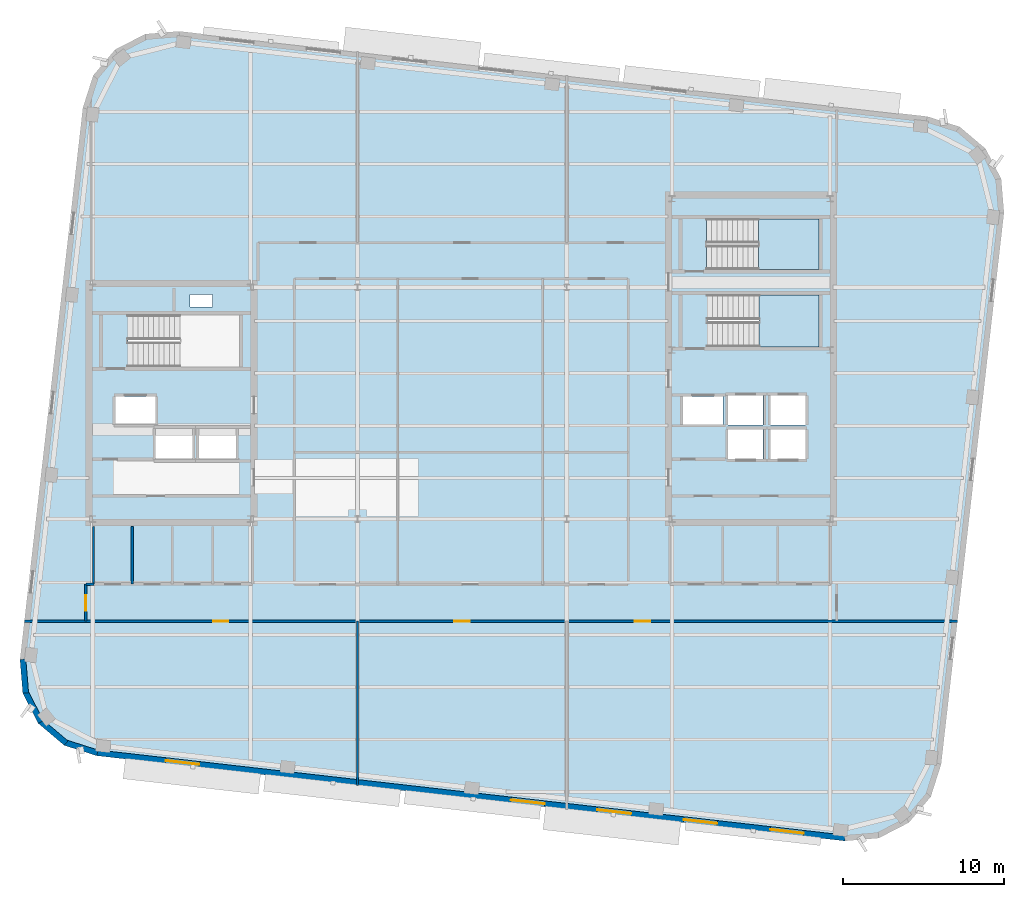
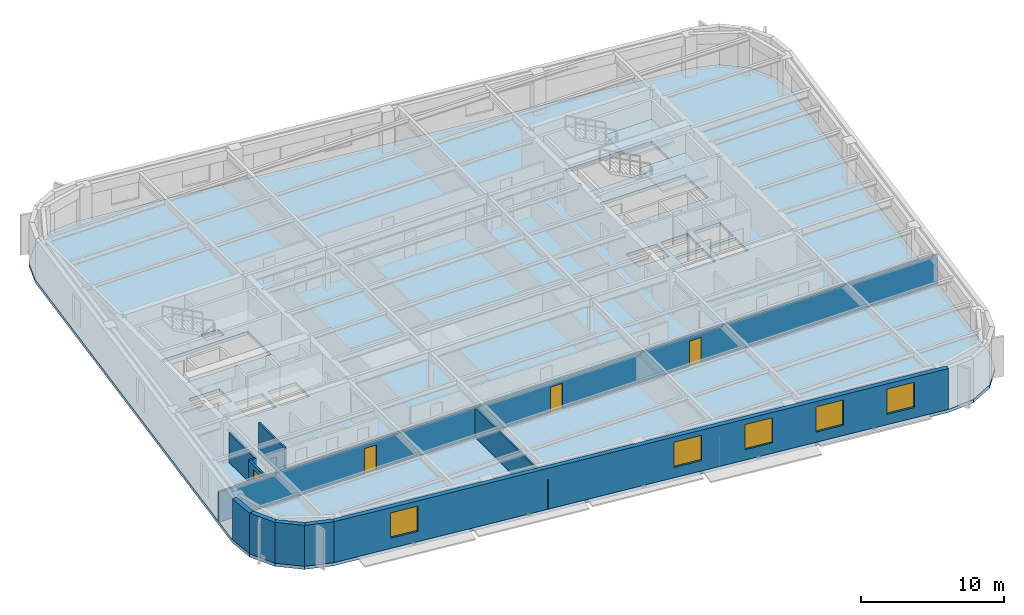
# One storey, part 5 of 14: 11 walls, 5 windows, 4 doors, 3 slabs, 9 openings, 2 elements without a shape of their own.
"""IFC4 building model written with IfcOpenShell, lengths in metres."""

from ifc_helpers import new_model, si_unit, direction, frame, frame_2d, origin, place, context, subcontext, project, spatial, polyline, rectangle, outline, extrude, material, layer, layer_set, type_object, element, fill, aggregate, save


model = new_model("IFC4")

# Units and contexts
model_context = context("Model", 3, precision=1e-05, world=origin(), true_north=direction((0.0, 1.0)))
body_context = subcontext(model_context, "Body", "Model", "MODEL_VIEW")
ifc_project = project(units=[si_unit("LENGTHUNIT", "METRE"), si_unit("AREAUNIT", "SQUARE_METRE"), si_unit("VOLUMEUNIT", "CUBIC_METRE"), si_unit("PLANEANGLEUNIT", "RADIAN"), si_unit("MASSUNIT", "GRAM", prefix="KILO")], contexts=[model_context])

# Site, building, storey
site_placement = place(None, origin())
site = spatial("IfcSite", under=ifc_project, at=site_placement, CompositionType="ELEMENT")
building_placement = place(site_placement, origin())
building = spatial("IfcBuilding", under=site, at=building_placement, Name="Kolvaren Arena Tower", CompositionType="ELEMENT")
storey_placement = place(building_placement, frame((0.0, 0.0, 247.199951171875)))
storey = spatial("IfcBuildingStorey", under=building, at=storey_placement, Name="L60", CompositionType="ELEMENT", Elevation=247.199951171875)

# Stair, slab
ifc_material_1 = material(Name="Concrete 45 MPa", Category="concrete")
stair_type_1 = type_object("IfcStairType", Name="STAIR-CORE-165", PredefinedType="HALF_TURN_STAIR", material=ifc_material_1)
stair_1_placement = place(storey_placement, origin())
stair_1 = element("IfcStair", 1, at=stair_1_placement, inside=storey, type_object=stair_type_1, Name="L60 ST-E1", PredefinedType="HALF_TURN_STAIR")
ifc_layer_1 = layer(ifc_material_1, 0.199951171875)
ifc_layer_set_1 = layer_set([ifc_layer_1], Name="Concrete 45 MPa")
slab_type_1 = type_object("IfcSlabType", Name="SLAB-LAND", PredefinedType="LANDING", material=ifc_layer_set_1)
slab_1_placement = place(storey_placement, frame((0.0, 0.0, 1.675048828125)))
slab_1 = element("IfcSlab", 2, at=slab_1_placement, type_object=slab_type_1, Name="ST-E1 landing 1", PredefinedType="LANDING", context=body_context, shape_type="SweptSolid", body=[
    extrude(outline(polyline([(55.9599609375, 30.14990234375), (59.659912109375, 30.14990234375), (59.659912109375, 33.3798828125), (55.9599609375, 33.3798828125), (55.9599609375, 30.14990234375)])), origin(), (0.0, 0.0, 1.0), 0.199951171875),
])
aggregate(stair_1, [slab_1])

stair_type_2 = type_object("IfcStairType", Name="STAIR-CORE-150", PredefinedType="HALF_TURN_STAIR", material=ifc_material_1)
stair_2_placement = place(storey_placement, origin())
stair_2 = element("IfcStair", 3, at=stair_2_placement, inside=storey, type_object=stair_type_2, Name="L60 ST-E2", PredefinedType="HALF_TURN_STAIR")
slab_2_placement = place(storey_placement, frame((0.0, 0.0, 1.675048828125)))
slab_2 = element("IfcSlab", 4, at=slab_2_placement, type_object=slab_type_1, Name="ST-E2 landing 1", PredefinedType="LANDING", context=body_context, shape_type="SweptSolid", body=[
    extrude(outline(polyline([(55.919921875, 34.949951171875), (59.659912109375, 34.949951171875), (59.659912109375, 38.10009765625), (55.919921875, 38.10009765625), (55.919921875, 34.949951171875)])), origin(), (0.0, 0.0, 1.0), 0.199951171875),
])
aggregate(stair_2, [slab_2])

# Slab
ifc_layer_2 = layer(ifc_material_1, 0.27001953125)
ifc_layer_set_2 = layer_set([ifc_layer_2], Name="Concrete 45 MPa")
slab_type_2 = type_object("IfcSlabType", Name="SLAB-OFF2", PredefinedType="FLOOR", material=ifc_layer_set_2)
slab_3_placement = place(storey_placement, frame((0.0, 0.0, -0.27001953125)))
element("IfcSlab", 5, at=slab_3_placement, inside=storey, type_object=slab_type_2, Name="L60 Primary Structural Slab", PredefinedType="FLOOR", context=body_context, shape_type="SweptSolid", body=[
    extrude(outline(polyline([(61.285400390625, -0.553466796875), (63.38525390625, -0.37890625), (65.25830078125, 0.585693359375), (66.619873046875, 2.194091796875), (67.26220703125, 4.20068359375), (71.16748046875, 38.47900390625), (70.9931640625, 40.57861328125), (70.0283203125, 42.45166015625), (68.42041015625, 43.81298828125), (66.41357421875, 44.455322265625), (19.91455078125, 49.75341796875), (17.814697265625, 49.578857421875), (15.941650390625, 48.6142578125), (14.580078125, 47.006103515625), (13.93798828125, 44.99951171875), (10.032470703125, 10.72119140625), (10.206787109375, 8.621337890625), (11.171630859375, 6.748291015625), (12.77978515625, 5.386962890625), (14.786376953125, 4.74462890625), (61.285400390625, -0.553466796875)]), holes=[polyline([(20.739990234375, 23.135009765625), (18.4599609375, 23.135009765625), (18.4599609375, 25.06494140625), (20.739990234375, 25.06494140625), (20.739990234375, 23.135009765625)]), polyline([(21.159912109375, 23.135009765625), (21.159912109375, 25.06494140625), (23.43994140625, 25.06494140625), (23.43994140625, 23.135009765625), (21.159912109375, 23.135009765625)]), polyline([(56.2099609375, 23.18505859375), (54.030029296875, 23.18505859375), (54.030029296875, 25.014892578125), (56.2099609375, 25.014892578125), (56.2099609375, 23.18505859375)]), polyline([(56.669921875, 23.18505859375), (56.669921875, 25.014892578125), (58.85009765625, 25.014892578125), (58.85009765625, 23.18505859375), (56.669921875, 23.18505859375)]), polyline([(54.030029296875, 25.284912109375), (54.030029296875, 27.114990234375), (56.2099609375, 27.114990234375), (56.2099609375, 25.284912109375), (54.030029296875, 25.284912109375)]), polyline([(58.85009765625, 25.284912109375), (56.669921875, 25.284912109375), (56.669921875, 27.114990234375), (58.85009765625, 27.114990234375), (58.85009765625, 25.284912109375)]), polyline([(15.9599609375, 25.3349609375), (15.9599609375, 27.06494140625), (18.43994140625, 27.06494140625), (18.43994140625, 25.3349609375), (15.9599609375, 25.3349609375)]), polyline([(53.699951171875, 25.3349609375), (51.219970703125, 25.3349609375), (51.219970703125, 27.06494140625), (53.699951171875, 27.06494140625), (53.699951171875, 25.3349609375)]), polyline([(16.735107421875, 28.89990234375), (16.735107421875, 32.1298828125), (23.659912109375, 32.1298828125), (23.659912109375, 28.89990234375), (16.735107421875, 28.89990234375)]), polyline([(52.735107421875, 30.14990234375), (52.735107421875, 33.3798828125), (59.659912109375, 33.3798828125), (59.659912109375, 30.14990234375), (52.735107421875, 30.14990234375)]), polyline([(20.60009765625, 32.6201171875), (20.60009765625, 33.39990234375), (22.0, 33.39990234375), (22.0, 32.6201171875), (20.60009765625, 32.6201171875)]), polyline([(52.695068359375, 34.949951171875), (52.695068359375, 38.10009765625), (59.659912109375, 38.10009765625), (59.659912109375, 34.949951171875), (52.695068359375, 34.949951171875)])]), origin(), (0.0, 0.0, 1.0), 0.27001953125),
])

# Wall, openings, doors
ifc_material_2 = material(Name="Gypsum board acoustic assembly", Category="gypsum")
ifc_layer_3 = layer(ifc_material_2, 0.159912109375)
ifc_layer_set_3 = layer_set([ifc_layer_3], Name="Gypsum board acoustic assembly")
wall_type_1 = type_object("IfcWallType", Name="CORR-160", PredefinedType="PARTITIONING", material=ifc_layer_set_3)
wall_1_placement = place(storey_placement, frame((10.303466796875, 13.10009765625, 0.0), z_axis=(0.0, 0.0, 1.0), x_axis=(1.0, 0.0, 0.0)))
wall_1 = element("IfcWall", 6, at=wall_1_placement, inside=storey, type_object=wall_type_1, Name="Interior Partition Wall (L60)", PredefinedType="PARTITIONING", context=body_context, shape_type="SweptSolid", body=[
    extrude(rectangle(XDim=57.97265625, YDim=0.159912109375, at=frame_2d((28.986328125, 0.0))), origin(), (0.0, 0.0, 1.0), 2.5400390625),
])
opening_1_placement = place(wall_1_placement, frame((11.7216796875, 0.0, 0.0)))
opening_1 = element("IfcOpeningElement", 7, at=opening_1_placement, cuts=wall_1, Name="Opening D05", PredefinedType="OPENING", context=body_context, shape_type="SweptSolid", body=[
    extrude(rectangle(XDim=0.949951171875, YDim=2.14990234375, at=frame_2d((0.47509765625, 1.074951171875))), frame((0.0, 0.08984375, 0.0), z_axis=(0.0, -1.0, 0.0), x_axis=(1.0, 0.0, 0.0)), (0.0, 0.0, 1.0), 0.179931640625),
])
opening_2_placement = place(wall_1_placement, frame((26.7216796875, 0.0, 0.0)))
opening_2 = element("IfcOpeningElement", 8, at=opening_2_placement, cuts=wall_1, Name="Opening D05", PredefinedType="OPENING", context=body_context, shape_type="SweptSolid", body=[
    extrude(rectangle(XDim=0.949951171875, YDim=2.14990234375, at=frame_2d((0.47509765625, 1.074951171875))), frame((0.0, 0.08984375, 0.0), z_axis=(0.0, -1.0, 0.0), x_axis=(1.0, 0.0, 0.0)), (0.0, 0.0, 1.0), 0.179931640625),
])
opening_3_placement = place(wall_1_placement, frame((37.921630859375, 0.0, 0.0)))
opening_3 = element("IfcOpeningElement", 9, at=opening_3_placement, cuts=wall_1, Name="Opening D05", PredefinedType="OPENING", context=body_context, shape_type="SweptSolid", body=[
    extrude(rectangle(XDim=0.949951171875, YDim=2.14990234375, at=frame_2d((0.47509765625, 1.074951171875))), frame((0.0, 0.08984375, 0.0), z_axis=(0.0, -1.0, 0.0), x_axis=(1.0, 0.0, 0.0)), (0.0, 0.0, 1.0), 0.179931640625),
])
ifc_material_3 = material(Name="Solid-core oak acoustic office door", Category="wood")
door_type = type_object("IfcDoorType", Name="DOOR-OF-095", OperationType="NOTDEFINED", PredefinedType="DOOR", material=ifc_material_3)
door_1_placement = place(opening_1_placement, origin())
door_1 = element("IfcDoor", 10, at=door_1_placement, inside=storey, type_object=door_type, Name="Executive Office Door (L60)", OperationType="SINGLE_SWING_RIGHT", OverallHeight=2.14990234375, OverallWidth=0.949951171875, PredefinedType="DOOR", context=body_context, shape_type="SweptSolid", body=[
    extrude(rectangle(XDim=0.949951171875, YDim=2.14990234375, at=frame_2d((0.47509765625, 1.074951171875))), frame((0.0, 0.02490234375, 0.0), z_axis=(0.0, -1.0, 0.0), x_axis=(1.0, 0.0, 0.0)), (0.0, 0.0, 1.0), 0.050048828125),
])
fill(opening_1, door_1)
door_2_placement = place(opening_2_placement, origin())
door_2 = element("IfcDoor", 11, at=door_2_placement, inside=storey, type_object=door_type, Name="Open Plan Office Door (L60)", OperationType="SINGLE_SWING_LEFT", OverallHeight=2.14990234375, OverallWidth=0.949951171875, PredefinedType="DOOR", context=body_context, shape_type="SweptSolid", body=[
    extrude(rectangle(XDim=0.949951171875, YDim=2.14990234375, at=frame_2d((0.47509765625, 1.074951171875))), frame((0.0, 0.02490234375, 0.0), z_axis=(0.0, -1.0, 0.0), x_axis=(1.0, 0.0, 0.0)), (0.0, 0.0, 1.0), 0.050048828125),
])
fill(opening_2, door_2)
door_3_placement = place(opening_3_placement, origin())
door_3 = element("IfcDoor", 12, at=door_3_placement, inside=storey, type_object=door_type, Name="Collaborative Work Studio Door (L60)", OperationType="SINGLE_SWING_RIGHT", OverallHeight=2.14990234375, OverallWidth=0.949951171875, PredefinedType="DOOR", context=body_context, shape_type="SweptSolid", body=[
    extrude(rectangle(XDim=0.949951171875, YDim=2.14990234375, at=frame_2d((0.47509765625, 1.074951171875))), frame((0.0, 0.02490234375, 0.0), z_axis=(0.0, -1.0, 0.0), x_axis=(1.0, 0.0, 0.0)), (0.0, 0.0, 1.0), 0.050048828125),
])
fill(opening_3, door_3)

# Wall, opening, door
wall_2_placement = place(storey_placement, frame((14.1201171875, 13.10009765625, 0.0), z_axis=(0.0, 0.0, 1.0), x_axis=(0.0, 1.0, 0.0)))
wall_2 = element("IfcWall", 13, at=wall_2_placement, inside=storey, type_object=wall_type_1, Name="Interior Partition Wall (L60)", PredefinedType="PARTITIONING", context=body_context, shape_type="SweptSolid", body=[
    extrude(rectangle(XDim=2.2998046875, YDim=0.159912109375, at=frame_2d((1.14990234375, 0.0))), origin(), (0.0, 0.0, 1.0), 2.5400390625),
])
opening_4_placement = place(wall_2_placement, frame((0.64990234375, 0.0, 0.0)))
opening_4 = element("IfcOpeningElement", 14, at=opening_4_placement, cuts=wall_2, Name="Opening D05", PredefinedType="OPENING", context=body_context, shape_type="SweptSolid", body=[
    extrude(rectangle(XDim=0.949951171875, YDim=2.14990234375, at=frame_2d((0.47509765625, 1.074951171875))), frame((0.0, 0.08984375, 0.0), z_axis=(0.0, -1.0, 0.0), x_axis=(1.0, 0.0, 0.0)), (0.0, 0.0, 1.0), 0.179931640625),
])
door_4_placement = place(opening_4_placement, origin())
door_4 = element("IfcDoor", 15, at=door_4_placement, inside=storey, type_object=door_type, Name="West Wing Office Door (L60)", OperationType="SINGLE_SWING_LEFT", OverallHeight=2.14990234375, OverallWidth=0.949951171875, PredefinedType="DOOR", context=body_context, shape_type="SweptSolid", body=[
    extrude(rectangle(XDim=0.949951171875, YDim=2.14990234375, at=frame_2d((0.47509765625, 1.074951171875))), frame((0.0, 0.02490234375, 0.0), z_axis=(0.0, -1.0, 0.0), x_axis=(1.0, 0.0, 0.0)), (0.0, 0.0, 1.0), 0.050048828125),
])
fill(opening_4, door_4)

# Walls
wall_3_placement = place(storey_placement, frame((14.1201171875, 15.39990234375, 0.0), z_axis=(0.0, 0.0, 1.0), x_axis=(1.0, 0.0, 0.0)))
element("IfcWall", 16, at=wall_3_placement, inside=storey, type_object=wall_type_1, Name="Interior Partition Wall (L60)", PredefinedType="PARTITIONING", context=body_context, shape_type="SweptSolid", body=[
    extrude(rectangle(XDim=0.5, YDim=0.159912109375, at=frame_2d((0.25, 0.0))), origin(), (0.0, 0.0, 1.0), 2.5400390625),
])
ifc_material_4 = material(Name="Precast concrete C50/60", Category="concrete")
ifc_layer_4 = layer(ifc_material_4, 0.360107421875)
ifc_layer_set_4 = layer_set([ifc_layer_4], Name="Precast concrete C50/60")
wall_type_2 = type_object("IfcWallType", Name="EXT-PIER2", PredefinedType="SOLIDWALL", material=ifc_layer_set_4)
wall_4_placement = place(storey_placement, frame((10.38623046875, 8.63623046875, 0.0), z_axis=(0.0, 0.0, 1.0), x_axis=(-0.082729038891, 0.996572077737, 0.0)))
element("IfcWall", 17, at=wall_4_placement, inside=storey, type_object=wall_type_2, Name="Exterior Precast Masonry-Frame Wall (L60)", PredefinedType="SOLIDWALL", context=body_context, shape_type="SweptSolid", body=[
    extrude(rectangle(XDim=2.107177734375, YDim=0.360107421875, at=frame_2d((1.0537109375, 0.0))), origin(), (0.0, 0.0, 1.0), 3.47998046875),
])
for number, where, z_axis, x_axis, name in (
    (18, (11.33154296875, 6.830810546875, 0.0), (0.0, 0.0, 1.0), (-0.457934390142, 0.888985992199, 0.0), "Exterior Precast Masonry-Frame Wall (L60)"),
    (19, (12.89599609375, 5.5244140625, 0.0), (0.0, 0.0, 1.0), (-0.763250018691, 0.646103249464, 0.0), "Exterior Precast Masonry-Frame Wall (L60)"),
    (20, (14.84130859375, 4.916015625, 0.0), (0.0, 0.0, 1.0), (-0.952393196904, 0.304872429864, 0.0), "Exterior Precast Masonry-Frame Wall (L60)"),
):
    element("IfcWall", number, at=place(storey_placement, frame(where, z_axis=z_axis, x_axis=x_axis)), inside=storey, type_object=wall_type_2, Name=name, PredefinedType="SOLIDWALL", context=body_context, shape_type="SweptSolid", body=[
        extrude(rectangle(XDim=2.10693359375, YDim=0.360107421875, at=frame_2d((1.053466796875, 0.0))), origin(), (0.0, 0.0, 1.0), 3.47998046875),
    ])

# Wall, openings, windows
wall_5_placement = place(storey_placement, frame((61.305908203125, -0.37451171875, 0.0), z_axis=(0.0, 0.0, 1.0), x_axis=(-0.993571958919, 0.113202307616, 0.0)))
wall_5 = element("IfcWall", 21, at=wall_5_placement, inside=storey, type_object=wall_type_2, Name="Exterior Precast Masonry-Frame Wall (L60)", PredefinedType="SOLIDWALL", context=body_context, shape_type="SweptSolid", body=[
    extrude(rectangle(XDim=46.7998046875, YDim=0.360107421875, at=frame_2d((23.39990234375, 0.0))), origin(), (0.0, 0.0, 1.0), 3.47998046875),
])
opening_5_placement = place(wall_5_placement, frame((2.60009765625, 0.0, 0.8798828125)))
opening_5 = element("IfcOpeningElement", 22, at=opening_5_placement, cuts=wall_5, Name="Opening W01", PredefinedType="OPENING", context=body_context, shape_type="SweptSolid", body=[
    extrude(rectangle(XDim=2.10009765625, YDim=2.14990234375, at=frame_2d((1.050048828125, 1.074951171875))), frame((0.0, 0.18994140625, 0.0), z_axis=(0.0, -1.0, 0.0), x_axis=(1.0, 0.0, 0.0)), (0.0, 0.0, 1.0), 0.380126953125),
])
opening_6_placement = place(wall_5_placement, frame((8.0, 0.0, 0.8798828125)))
opening_6 = element("IfcOpeningElement", 23, at=opening_6_placement, cuts=wall_5, Name="Opening W01", PredefinedType="OPENING", context=body_context, shape_type="SweptSolid", body=[
    extrude(rectangle(XDim=2.10009765625, YDim=2.14990234375, at=frame_2d((1.050048828125, 1.074951171875))), frame((0.0, 0.18994140625, 0.0), z_axis=(0.0, -1.0, 0.0), x_axis=(1.0, 0.0, 0.0)), (0.0, 0.0, 1.0), 0.380126953125),
])
opening_7_placement = place(wall_5_placement, frame((13.39990234375, 0.0, 0.8798828125)))
opening_7 = element("IfcOpeningElement", 24, at=opening_7_placement, cuts=wall_5, Name="Opening W01", PredefinedType="OPENING", context=body_context, shape_type="SweptSolid", body=[
    extrude(rectangle(XDim=2.10009765625, YDim=2.14990234375, at=frame_2d((1.050048828125, 1.074951171875))), frame((0.0, 0.18994140625, 0.0), z_axis=(0.0, -1.0, 0.0), x_axis=(1.0, 0.0, 0.0)), (0.0, 0.0, 1.0), 0.380126953125),
])
opening_8_placement = place(wall_5_placement, frame((18.800048828125, 0.0, 0.8798828125)))
opening_8 = element("IfcOpeningElement", 25, at=opening_8_placement, cuts=wall_5, Name="Opening W01", PredefinedType="OPENING", context=body_context, shape_type="SweptSolid", body=[
    extrude(rectangle(XDim=2.10009765625, YDim=2.14990234375, at=frame_2d((1.050048828125, 1.074951171875))), frame((0.0, 0.18994140625, 0.0), z_axis=(0.0, -1.0, 0.0), x_axis=(1.0, 0.0, 0.0)), (0.0, 0.0, 1.0), 0.380126953125),
])
opening_9_placement = place(wall_5_placement, frame((40.39990234375, 0.0, 0.8798828125)))
opening_9 = element("IfcOpeningElement", 26, at=opening_9_placement, cuts=wall_5, Name="Opening W01", PredefinedType="OPENING", context=body_context, shape_type="SweptSolid", body=[
    extrude(rectangle(XDim=2.10009765625, YDim=2.14990234375, at=frame_2d((1.050048828125, 1.074951171875))), frame((0.0, 0.18994140625, 0.0), z_axis=(0.0, -1.0, 0.0), x_axis=(1.0, 0.0, 0.0)), (0.0, 0.0, 1.0), 0.380126953125),
])
ifc_material_5 = material(Name="Triple-glazed low-E aluminium window", Category="aluminium")
window_type = type_object("IfcWindowType", Name="WIN-OFF-A", PartitioningType="DOUBLE_PANEL_VERTICAL", PredefinedType="WINDOW", material=ifc_material_5)
window_1_placement = place(opening_5_placement, origin())
window_1 = element("IfcWindow", 27, at=window_1_placement, inside=storey, type_object=window_type, Name="Punched Precast-Pier Window (L60)", OverallHeight=2.14990234375, OverallWidth=2.10009765625, PartitioningType="DOUBLE_PANEL_VERTICAL", PredefinedType="WINDOW", context=body_context, shape_type="SweptSolid", body=[
    extrude(rectangle(XDim=2.10009765625, YDim=2.14990234375, at=frame_2d((1.050048828125, 1.074951171875))), frame((0.0, 0.030029296875, 0.0), z_axis=(0.0, -1.0, 0.0), x_axis=(1.0, 0.0, 0.0)), (0.0, 0.0, 1.0), 0.06005859375),
])
fill(opening_5, window_1)
window_2_placement = place(opening_6_placement, origin())
window_2 = element("IfcWindow", 28, at=window_2_placement, inside=storey, type_object=window_type, Name="Punched Precast-Pier Window (L60)", OverallHeight=2.14990234375, OverallWidth=2.10009765625, PartitioningType="DOUBLE_PANEL_VERTICAL", PredefinedType="WINDOW", context=body_context, shape_type="SweptSolid", body=[
    extrude(rectangle(XDim=2.10009765625, YDim=2.14990234375, at=frame_2d((1.050048828125, 1.074951171875))), frame((0.0, 0.030029296875, 0.0), z_axis=(0.0, -1.0, 0.0), x_axis=(1.0, 0.0, 0.0)), (0.0, 0.0, 1.0), 0.06005859375),
])
fill(opening_6, window_2)
window_3_placement = place(opening_7_placement, origin())
window_3 = element("IfcWindow", 29, at=window_3_placement, inside=storey, type_object=window_type, Name="Punched Precast-Pier Window (L60)", OverallHeight=2.14990234375, OverallWidth=2.10009765625, PartitioningType="DOUBLE_PANEL_VERTICAL", PredefinedType="WINDOW", context=body_context, shape_type="SweptSolid", body=[
    extrude(rectangle(XDim=2.10009765625, YDim=2.14990234375, at=frame_2d((1.050048828125, 1.074951171875))), frame((0.0, 0.030029296875, 0.0), z_axis=(0.0, -1.0, 0.0), x_axis=(1.0, 0.0, 0.0)), (0.0, 0.0, 1.0), 0.06005859375),
])
fill(opening_7, window_3)
window_4_placement = place(opening_8_placement, origin())
window_4 = element("IfcWindow", 30, at=window_4_placement, inside=storey, type_object=window_type, Name="Punched Precast-Pier Window (L60)", OverallHeight=2.14990234375, OverallWidth=2.10009765625, PartitioningType="DOUBLE_PANEL_VERTICAL", PredefinedType="WINDOW", context=body_context, shape_type="SweptSolid", body=[
    extrude(rectangle(XDim=2.10009765625, YDim=2.14990234375, at=frame_2d((1.050048828125, 1.074951171875))), frame((0.0, 0.030029296875, 0.0), z_axis=(0.0, -1.0, 0.0), x_axis=(1.0, 0.0, 0.0)), (0.0, 0.0, 1.0), 0.06005859375),
])
fill(opening_8, window_4)
window_5_placement = place(opening_9_placement, origin())
window_5 = element("IfcWindow", 31, at=window_5_placement, inside=storey, type_object=window_type, Name="Punched Precast-Pier Window (L60)", OverallHeight=2.14990234375, OverallWidth=2.10009765625, PartitioningType="DOUBLE_PANEL_VERTICAL", PredefinedType="WINDOW", context=body_context, shape_type="SweptSolid", body=[
    extrude(rectangle(XDim=2.10009765625, YDim=2.14990234375, at=frame_2d((1.050048828125, 1.074951171875))), frame((0.0, 0.030029296875, 0.0), z_axis=(0.0, -1.0, 0.0), x_axis=(1.0, 0.0, 0.0)), (0.0, 0.0, 1.0), 0.06005859375),
])
fill(opening_9, window_5)

# Walls
ifc_material_6 = material(Name="Gypsum board partition assembly", Category="gypsum")
ifc_layer_5 = layer(ifc_material_6, 0.135009765625)
ifc_layer_set_5 = layer_set([ifc_layer_5], Name="Gypsum board partition assembly")
wall_type_3 = type_object("IfcWallType", Name="PART-135", PredefinedType="PARTITIONING", material=ifc_layer_set_5)
wall_6_placement = place(storey_placement, frame((31.0, 2.897216796875, 0.0), z_axis=(0.0, 0.0, 1.0), x_axis=(0.0, 1.0, 0.0)))
element("IfcWall", 32, at=wall_6_placement, inside=storey, type_object=wall_type_3, Name="Interior Partition Wall (L60)", PredefinedType="PARTITIONING", context=body_context, shape_type="SweptSolid", body=[
    extrude(rectangle(XDim=10.202880859375, YDim=0.135009765625, at=frame_2d((5.1015625, 0.0))), origin(), (0.0, 0.0, 1.0), 2.5400390625),
])
ifc_material_7 = material(Name="Moisture-resistant gypsum assembly", Category="gypsum")
ifc_layer_6 = layer(ifc_material_7, 0.14990234375)
ifc_layer_set_6 = layer_set([ifc_layer_6], Name="Moisture-resistant gypsum assembly")
wall_type_4 = type_object("IfcWallType", Name="WETW-150", PredefinedType="PARTITIONING", material=ifc_layer_set_6)
for number, where, z_axis, x_axis, name in (
    (33, (17.0, 15.39990234375, 0.0), (0.0, 0.0, 1.0), (0.0, 1.0, 0.0), "Interior Partition Wall (L60)"),
    (34, (14.60009765625, 15.39990234375, 0.0), (0.0, 0.0, 1.0), (0.0, 1.0, 0.0), "Interior Partition Wall (L60)"),
):
    element("IfcWall", number, at=place(storey_placement, frame(where, z_axis=z_axis, x_axis=x_axis)), inside=storey, type_object=wall_type_4, Name=name, PredefinedType="PARTITIONING", context=body_context, shape_type="SweptSolid", body=[
        extrude(rectangle(XDim=3.580078125, YDim=0.14990234375, at=frame_2d((1.7900390625, 0.0))), origin(), (0.0, 0.0, 1.0), 2.5400390625),
    ])

save(model, "model.ifc")
